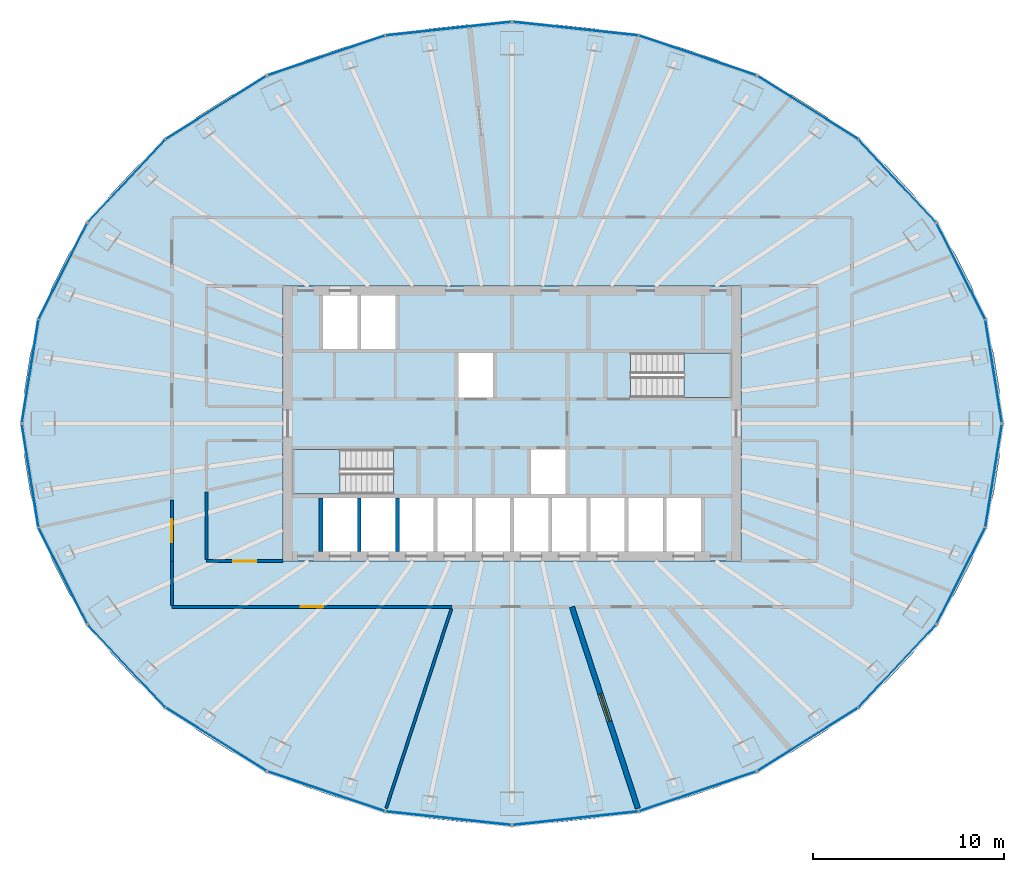
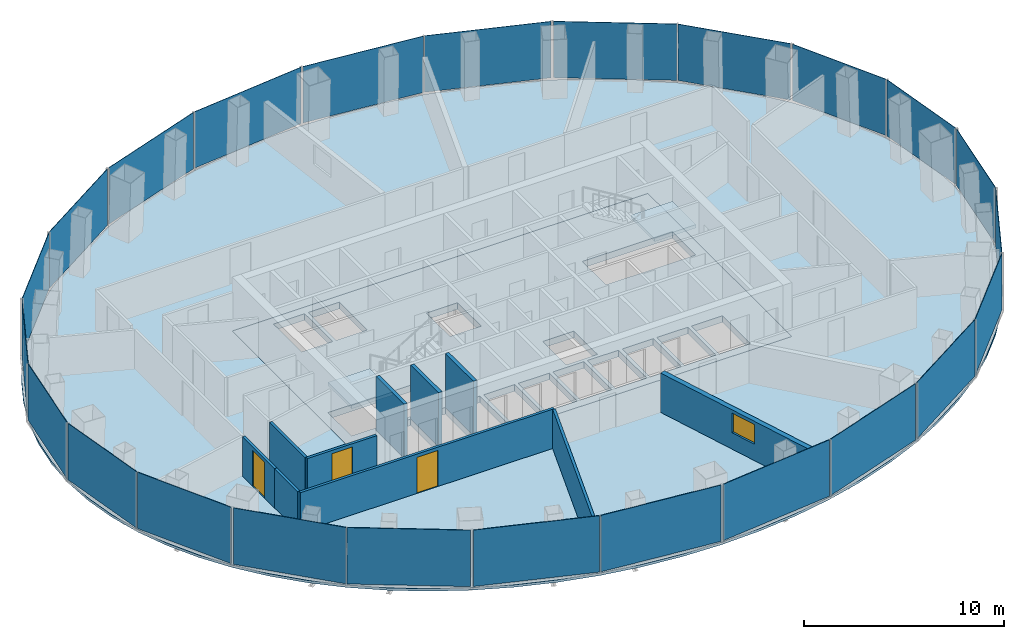
# One storey, part 7 of 12: 24 plates, 10 walls, 4 slabs, 3 doors, 1 window, 4 openings, 14 elements without a shape of their own.
"""IFC4 building model written with IfcOpenShell, lengths in metres."""

import ifcopenshell
import ifcopenshell.guid

model = None  # the IFC model being written
_history = None  # IfcOwnerHistory: only IFC2X3 demands one
_inside = {}  # id of a spatial element -> (the spatial element, [elements in it])
_under = {}  # id of a project, library or spatial element -> (it, [spatial elements below it])
_declared = {}  # id of a project -> (the project, [libraries it declares])
_typed = {}  # id of a type object -> (the type object, [elements of that type])
_made_of = {}  # id of a material, layer set ... -> (it, [elements and type objects made of it])


def new_model(schema):
    """Start an empty IFC model of exactly this schema.

    Asked for "IFC4X3", IfcOpenShell would pick the latest addendum, in which some entities
    have other attributes; the version numbers below select the first issue.
    IFC2X3 requires an IfcOwnerHistory on every rooted entity: one is made here for all.
    """
    global model, _history
    if schema == "IFC4X3":
        model = ifcopenshell.file(schema_version=(4, 3, 0, 0))
    else:
        model = ifcopenshell.file(schema=schema)
    _inside.clear()
    _under.clear()
    _declared.clear()
    _typed.clear()
    _made_of.clear()
    _history = None
    if model.schema == "IFC2X3":
        org = make("IfcOrganization", Name="unknown")
        user = make(
            "IfcPersonAndOrganization",
            ThePerson=make("IfcPerson", FamilyName="unknown"),
            TheOrganization=org,
        )
        app = make(
            "IfcApplication",
            ApplicationDeveloper=org,
            Version="unknown",
            ApplicationFullName="unknown",
            ApplicationIdentifier="unknown",
        )
        _history = make(
            "IfcOwnerHistory",
            OwningUser=user,
            OwningApplication=app,
            ChangeAction="ADDED",
            CreationDate=0,
        )
    return model


def make(cls, **values):
    """One entity of the class cls with the attributes given. An attribute that is None is left unset."""
    return model.create_entity(
        cls, **{name: value for name, value in values.items() if value is not None}
    )


def rooted(cls, **values):
    """An entity with a GlobalId (a new one), such as an element, a storey or a relation."""
    return make(cls, GlobalId=ifcopenshell.guid.new(), OwnerHistory=_history, **values)


def si_unit(unit_type, name, prefix=None):
    """IfcSIUnit, for example si_unit("LENGTHUNIT", "METRE", prefix="MILLI")."""
    return make("IfcSIUnit", UnitType=unit_type, Prefix=prefix, Name=name)


def assignment(units):
    """IfcUnitAssignment: the units of a project."""
    return None if units is None else make("IfcUnitAssignment", Units=units)


def point(xyz):
    """IfcCartesianPoint."""
    return None if xyz is None else make("IfcCartesianPoint", Coordinates=xyz)


def direction(xyz):
    """IfcDirection."""
    return None if xyz is None else make("IfcDirection", DirectionRatios=xyz)


def frame(location, z_axis=None, x_axis=None):
    """IfcAxis2Placement3D, a coordinate frame: its origin and axes. An axis left out is left unset."""
    return make(
        "IfcAxis2Placement3D",
        Location=point(location),
        Axis=direction(z_axis),
        RefDirection=direction(x_axis),
    )


def frame_2d(location, x_axis=None):
    """IfcAxis2Placement2D, a coordinate frame in the plane: its origin and x axis."""
    return make(
        "IfcAxis2Placement2D", Location=point(location), RefDirection=direction(x_axis)
    )


def origin():
    """The frame at (0, 0, 0) with its axes left unset."""
    return frame((0.0, 0.0, 0.0))


def origin_2d():
    """The frame at (0, 0) in the plane with its x axis left unset."""
    return frame_2d((0.0, 0.0))


def place(relative_to, where):
    """IfcLocalPlacement: puts the frame where relative to a parent placement (None: the world)."""
    return make(
        "IfcLocalPlacement", PlacementRelTo=relative_to, RelativePlacement=where
    )


def context(
    kind, dimensions, precision=None, world=None, true_north=None, identifier=None
):
    """IfcGeometricRepresentationContext, for example the 3D "Model" context."""
    return make(
        "IfcGeometricRepresentationContext",
        ContextIdentifier=identifier,
        ContextType=kind,
        CoordinateSpaceDimension=dimensions,
        Precision=precision,
        WorldCoordinateSystem=world,
        TrueNorth=true_north,
    )


def subcontext(parent, identifier, kind, view, scale=None):
    """IfcGeometricRepresentationSubContext, for example "Body" below "Model"."""
    return make(
        "IfcGeometricRepresentationSubContext",
        ContextIdentifier=identifier,
        ContextType=kind,
        ParentContext=parent,
        TargetScale=scale,
        TargetView=view,
    )


def project(units=None, contexts=None):
    """IfcProject with its units and contexts."""
    return rooted(
        "IfcProject",
        Name="project",
        RepresentationContexts=contexts,
        UnitsInContext=assignment(units),
    )


def spatial(cls, under=None, at=None, **own):
    """A site, building, storey or space (cls), placed at a placement, below another one or the project."""
    s = rooted(cls, ObjectPlacement=at, **own)
    if under is not None:
        _under.setdefault(under.id(), (under, []))[1].append(s)
    return s


def polyline(points):
    """IfcPolyline through the points."""
    return make("IfcPolyline", Points=[point(p) for p in points])


def profile(cls, at=None, kind="AREA", **sizes):
    """A parametric profile (cls). Its sizes go by their IFC names, for example OverallWidth=200.0."""
    return make(cls, ProfileType=kind, Position=at, **sizes)


def rectangle(**sizes):
    """IfcRectangleProfileDef."""
    return profile("IfcRectangleProfileDef", **sizes)


def outline(outer, holes=None, kind="AREA"):
    """IfcArbitraryClosedProfileDef: a profile drawn as a closed curve; with holes, ...WithVoids."""
    if holes is None:
        return make("IfcArbitraryClosedProfileDef", ProfileType=kind, OuterCurve=outer)
    return make(
        "IfcArbitraryProfileDefWithVoids",
        ProfileType=kind,
        OuterCurve=outer,
        InnerCurves=holes,
    )


def extrude(swept, where, along, depth):
    """IfcExtrudedAreaSolid: the profile swept, set in the frame where, extruded along a direction by depth."""
    return make(
        "IfcExtrudedAreaSolid",
        SweptArea=swept,
        Position=where,
        ExtrudedDirection=direction(along),
        Depth=depth,
    )


def shape(context_of_items, identifier, shape_type, items):
    """IfcShapeRepresentation: the items that make up one representation, for example the "Body"."""
    return make(
        "IfcShapeRepresentation",
        ContextOfItems=context_of_items,
        RepresentationIdentifier=identifier,
        RepresentationType=shape_type,
        Items=items,
    )


def material(Name=None, Category=None):
    """IfcMaterial."""
    return make("IfcMaterial", Name=Name, Category=Category)


def layer(
    of_material, thickness, ventilated=None, Name=None, Category=None, Priority=None
):
    """IfcMaterialLayer: one layer of a wall or slab, of a material (None: an air gap)."""
    return make(
        "IfcMaterialLayer",
        Material=of_material,
        LayerThickness=thickness,
        IsVentilated=ventilated,
        Name=Name,
        Category=Category,
        Priority=Priority,
    )


def layer_set(layers, Name=None):
    """IfcMaterialLayerSet."""
    return make("IfcMaterialLayerSet", MaterialLayers=layers, LayerSetName=Name)


def made_of(thing, what):
    """Note that an element or type object is made of a material, layer set ...; save() writes the relation."""
    if what is not None:
        _made_of.setdefault(what.id(), (what, []))[1].append(thing)
    return thing


def type_object(cls, material=None, **own):
    """A type object (cls), such as IfcWallType, which elements share."""
    return made_of(rooted(cls, **own), material)


def element(
    cls,
    number,
    at=None,
    inside=None,
    cuts=None,
    type_object=None,
    material=None,
    context=None,
    identifier="Body",
    shape_type=None,
    held_by="IfcProductDefinitionShape",
    body=None,
    shapes=None,
    **own,
):
    """One element of the class cls, such as IfcWall. Its Tag is "e" and its number.

    at: its placement. inside: the storey or other place that contains it. cuts: it is an
    opening in that element (IfcRelVoidsElement). A single representation is given by context,
    identifier, shape_type and body (its items); several are given by shapes. held_by: the class
    of the entity that holds the representations. save() writes the other relations.
    """
    e = rooted(cls, Tag="e%d" % number, ObjectPlacement=at, **own)
    if body is not None:
        shapes = [shape(context, identifier, shape_type, body)]
    if shapes is not None:
        e.Representation = make(held_by, Representations=shapes)
    if inside is not None:
        _inside.setdefault(inside.id(), (inside, []))[1].append(e)
    if cuts is not None:
        rooted(
            "IfcRelVoidsElement", RelatingBuildingElement=cuts, RelatedOpeningElement=e
        )
    if type_object is not None:
        _typed.setdefault(type_object.id(), (type_object, []))[1].append(e)
    return made_of(e, material)


def fill(opening, filler):
    """IfcRelFillsElement: the door or window that sits in an opening."""
    return rooted(
        "IfcRelFillsElement",
        RelatingOpeningElement=opening,
        RelatedBuildingElement=filler,
    )


def aggregate(whole, parts):
    """IfcRelAggregates: a whole, such as a stair, and the parts it consists of."""
    return rooted("IfcRelAggregates", RelatingObject=whole, RelatedObjects=parts)


def save(model, path):
    """Write the relations noted so far, then the file.

    IfcRelAggregates (storeys below a building ...), IfcRelContainedInSpatialStructure (elements
    in a storey), IfcRelDefinesByType, IfcRelAssociatesMaterial and IfcRelDeclares: one each for
    every whole, place, type object, material and project.
    """
    for whole, parts in _under.values():
        aggregate(whole, parts)
    for where, things in _inside.values():
        rooted(
            "IfcRelContainedInSpatialStructure",
            RelatedElements=things,
            RelatingStructure=where,
        )
    for kind, things in _typed.values():
        rooted("IfcRelDefinesByType", RelatedObjects=things, RelatingType=kind)
    for what, things in _made_of.values():
        rooted("IfcRelAssociatesMaterial", RelatedObjects=things, RelatingMaterial=what)
    for by, libraries in _declared.values():
        rooted("IfcRelDeclares", RelatingContext=by, RelatedDefinitions=libraries)
    model.write(path)


model = new_model("IFC4")

# Units and contexts
model_context = context("Model", 3, precision=1e-05, world=origin(), true_north=direction((0.0, 1.0)))
body_context = subcontext(model_context, "Body", "Model", "MODEL_VIEW")
ifc_project = project(units=[si_unit("LENGTHUNIT", "METRE"), si_unit("AREAUNIT", "SQUARE_METRE"), si_unit("VOLUMEUNIT", "CUBIC_METRE"), si_unit("PLANEANGLEUNIT", "RADIAN"), si_unit("MASSUNIT", "GRAM", prefix="KILO")], contexts=[model_context])

# Site, building, storey
site_placement = place(None, origin())
site = spatial("IfcSite", under=ifc_project, at=site_placement, CompositionType="ELEMENT")
building_placement = place(site_placement, origin())
building = spatial("IfcBuilding", under=site, at=building_placement, Name="Siaravel Broadcast Tower", CompositionType="ELEMENT")
storey_placement = place(building_placement, frame((0.0, 0.0, 111.89990234375)))
storey = spatial("IfcBuildingStorey", under=building, at=storey_placement, Name="L26", CompositionType="ELEMENT", Elevation=111.89990234375)

# Curtain wall, plates
ifc_material_1 = material(Name="Aluminium 6063-T6", Category="aluminium")
ifc_layer_1 = layer(ifc_material_1, 0.199951171875)
ifc_layer_set_1 = layer_set([ifc_layer_1], Name="Aluminium 6063-T6")
curtain_wall_type = type_object("IfcCurtainWallType", Name="Unitised curtain wall, zone 2", PredefinedType="NOTDEFINED", material=ifc_layer_set_1)
curtain_wall_1_placement = place(storey_placement, origin())
curtain_wall_1 = element("IfcCurtainWall", 1, at=curtain_wall_1_placement, inside=storey, type_object=curtain_wall_type, Name="L26 Unitised curtain wall, zone 2 01", PredefinedType="NOTDEFINED")
ifc_material_2 = material(Name="Tinted laminated glass", Category="glass")
ifc_layer_2 = layer(ifc_material_2, 0.030029296875)
ifc_layer_set_2 = layer_set([ifc_layer_2], Name="Tinted laminated glass")
plate_type = type_object("IfcPlateType", Name="CW-Z2 glass panel", PredefinedType="CURTAIN_PANEL", material=ifc_layer_set_2)
plate_1_placement = place(storey_placement, frame((25.215087890625, 2.738037109375, 0.110107421875), z_axis=(0.0, 0.0, 1.0), x_axis=(-0.158685687, 0.987329151, 0.0)))
plate_1 = element("IfcPlate", 2, at=plate_1_placement, type_object=plate_type, Name="CW-Z2 glass panel", PredefinedType="CURTAIN_PANEL", context=body_context, shape_type="SweptSolid", body=[
    extrude(rectangle(XDim=5.416259765625, YDim=0.030029296875, at=origin_2d()), origin(), (0.0, 0.0, 1.0), 3.43994140625),
])
plate_2_placement = place(storey_placement, frame((23.50537109375, 7.96533203125, 0.110107421875), z_axis=(0.0, 0.0, 1.0), x_axis=(-0.451261231, 0.892391899, 0.0)))
plate_2 = element("IfcPlate", 3, at=plate_2_placement, type_object=plate_type, Name="CW-Z2 glass panel", PredefinedType="CURTAIN_PANEL", context=body_context, shape_type="SweptSolid", body=[
    extrude(rectangle(XDim=5.585693359375, YDim=0.030029296875, at=origin_2d()), origin(), (0.0, 0.0, 1.0), 3.43994140625),
])
aggregate(curtain_wall_1, [plate_1, plate_2])

curtain_wall_2_placement = place(storey_placement, origin())
curtain_wall_2 = element("IfcCurtainWall", 4, at=curtain_wall_2_placement, inside=storey, type_object=curtain_wall_type, Name="L26 Unitised curtain wall, zone 2 02", PredefinedType="NOTDEFINED")
plate_3_placement = place(storey_placement, frame((20.165283203125, 12.704345703125, 0.110107421875), z_axis=(0.0, 0.0, 1.0), x_axis=(-0.683655392, 0.729804977, 0.0)))
plate_3 = element("IfcPlate", 5, at=plate_3_placement, type_object=plate_type, Name="CW-Z2 glass panel", PredefinedType="CURTAIN_PANEL", context=body_context, shape_type="SweptSolid", body=[
    extrude(rectangle(XDim=5.867919921875, YDim=0.030029296875, at=origin_2d()), origin(), (0.0, 0.0, 1.0), 3.43994140625),
])
plate_4_placement = place(storey_placement, frame((15.494384765625, 16.530517578125, 0.110107421875), z_axis=(0.0, 0.0, 1.0), x_axis=(-0.846650708, 0.532149019, 0.0)))
plate_4 = element("IfcPlate", 6, at=plate_4_placement, type_object=plate_type, Name="CW-Z2 glass panel", PredefinedType="CURTAIN_PANEL", context=body_context, shape_type="SweptSolid", body=[
    extrude(rectangle(XDim=6.17822265625, YDim=0.030029296875, at=origin_2d()), origin(), (0.0, 0.0, 1.0), 3.43994140625),
])
aggregate(curtain_wall_2, [plate_3, plate_4])

curtain_wall_3_placement = place(storey_placement, origin())
curtain_wall_3 = element("IfcCurtainWall", 7, at=curtain_wall_3_placement, inside=storey, type_object=curtain_wall_type, Name="L26 Unitised curtain wall, zone 2 03", PredefinedType="NOTDEFINED")
plate_5_placement = place(storey_placement, frame((9.715576171875, 19.263427734375, 0.110107421875), z_axis=(0.0, 0.0, 1.0), x_axis=(-0.946977286, 0.321300513, 0.0)))
plate_5 = element("IfcPlate", 8, at=plate_5_placement, type_object=plate_type, Name="CW-Z2 glass panel", PredefinedType="CURTAIN_PANEL", context=body_context, shape_type="SweptSolid", body=[
    extrude(rectangle(XDim=6.43505859375, YDim=0.030029296875, at=origin_2d()), origin(), (0.0, 0.0, 1.0), 3.43994140625),
])
plate_6_placement = place(storey_placement, frame((3.335205078125, 20.663818359375, 0.110107421875), z_axis=(0.0, 0.0, 1.0), x_axis=(-0.994235594, 0.107217456, 0.0)))
plate_6 = element("IfcPlate", 9, at=plate_6_placement, type_object=plate_type, Name="CW-Z2 glass panel", PredefinedType="CURTAIN_PANEL", context=body_context, shape_type="SweptSolid", body=[
    extrude(rectangle(XDim=6.578857421875, YDim=0.030029296875, at=origin_2d()), origin(), (0.0, 0.0, 1.0), 3.43994140625),
])
aggregate(curtain_wall_3, [plate_5, plate_6])

curtain_wall_4_placement = place(storey_placement, origin())
curtain_wall_4 = element("IfcCurtainWall", 10, at=curtain_wall_4_placement, inside=storey, type_object=curtain_wall_type, Name="L26 Unitised curtain wall, zone 2 04", PredefinedType="NOTDEFINED")
plate_7_placement = place(storey_placement, frame((-3.335205078125, 20.663818359375, 0.110107421875), z_axis=(0.0, 0.0, 1.0), x_axis=(-0.994235594, -0.107217456, 0.0)))
plate_7 = element("IfcPlate", 11, at=plate_7_placement, type_object=plate_type, Name="CW-Z2 glass panel", PredefinedType="CURTAIN_PANEL", context=body_context, shape_type="SweptSolid", body=[
    extrude(rectangle(XDim=6.578857421875, YDim=0.030029296875, at=origin_2d()), origin(), (0.0, 0.0, 1.0), 3.43994140625),
])
plate_8_placement = place(storey_placement, frame((-9.715576171875, 19.263427734375, 0.110107421875), z_axis=(0.0, 0.0, 1.0), x_axis=(-0.946977286, -0.321300513, 0.0)))
plate_8 = element("IfcPlate", 12, at=plate_8_placement, type_object=plate_type, Name="CW-Z2 glass panel", PredefinedType="CURTAIN_PANEL", context=body_context, shape_type="SweptSolid", body=[
    extrude(rectangle(XDim=6.43505859375, YDim=0.030029296875, at=origin_2d()), origin(), (0.0, 0.0, 1.0), 3.43994140625),
])
aggregate(curtain_wall_4, [plate_7, plate_8])

curtain_wall_5_placement = place(storey_placement, origin())
curtain_wall_5 = element("IfcCurtainWall", 13, at=curtain_wall_5_placement, inside=storey, type_object=curtain_wall_type, Name="L26 Unitised curtain wall, zone 2 05", PredefinedType="NOTDEFINED")
plate_9_placement = place(storey_placement, frame((-15.494384765625, 16.530517578125, 0.110107421875), z_axis=(0.0, 0.0, 1.0), x_axis=(-0.846650708, -0.532149019, 0.0)))
plate_9 = element("IfcPlate", 14, at=plate_9_placement, type_object=plate_type, Name="CW-Z2 glass panel", PredefinedType="CURTAIN_PANEL", context=body_context, shape_type="SweptSolid", body=[
    extrude(rectangle(XDim=6.17822265625, YDim=0.030029296875, at=origin_2d()), origin(), (0.0, 0.0, 1.0), 3.43994140625),
])
plate_10_placement = place(storey_placement, frame((-20.165283203125, 12.704345703125, 0.110107421875), z_axis=(0.0, 0.0, 1.0), x_axis=(-0.683655392, -0.729804977, 0.0)))
plate_10 = element("IfcPlate", 15, at=plate_10_placement, type_object=plate_type, Name="CW-Z2 glass panel", PredefinedType="CURTAIN_PANEL", context=body_context, shape_type="SweptSolid", body=[
    extrude(rectangle(XDim=5.867919921875, YDim=0.030029296875, at=origin_2d()), origin(), (0.0, 0.0, 1.0), 3.43994140625),
])
aggregate(curtain_wall_5, [plate_9, plate_10])

curtain_wall_6_placement = place(storey_placement, origin())
curtain_wall_6 = element("IfcCurtainWall", 16, at=curtain_wall_6_placement, inside=storey, type_object=curtain_wall_type, Name="L26 Unitised curtain wall, zone 2 06", PredefinedType="NOTDEFINED")
plate_11_placement = place(storey_placement, frame((-23.50537109375, 7.96533203125, 0.110107421875), z_axis=(0.0, 0.0, 1.0), x_axis=(-0.451261231, -0.892391899, 0.0)))
plate_11 = element("IfcPlate", 17, at=plate_11_placement, type_object=plate_type, Name="CW-Z2 glass panel", PredefinedType="CURTAIN_PANEL", context=body_context, shape_type="SweptSolid", body=[
    extrude(rectangle(XDim=5.585693359375, YDim=0.030029296875, at=origin_2d()), origin(), (0.0, 0.0, 1.0), 3.43994140625),
])
plate_12_placement = place(storey_placement, frame((-25.215087890625, 2.738037109375, 0.110107421875), z_axis=(0.0, 0.0, 1.0), x_axis=(-0.158685687, -0.987329151, 0.0)))
plate_12 = element("IfcPlate", 18, at=plate_12_placement, type_object=plate_type, Name="CW-Z2 glass panel", PredefinedType="CURTAIN_PANEL", context=body_context, shape_type="SweptSolid", body=[
    extrude(rectangle(XDim=5.416259765625, YDim=0.030029296875, at=origin_2d()), origin(), (0.0, 0.0, 1.0), 3.43994140625),
])
aggregate(curtain_wall_6, [plate_11, plate_12])

curtain_wall_7_placement = place(storey_placement, origin())
curtain_wall_7 = element("IfcCurtainWall", 19, at=curtain_wall_7_placement, inside=storey, type_object=curtain_wall_type, Name="L26 Unitised curtain wall, zone 2 07", PredefinedType="NOTDEFINED")
plate_13_placement = place(storey_placement, frame((-25.215087890625, -2.738037109375, 0.110107421875), z_axis=(0.0, 0.0, 1.0), x_axis=(0.158685687, -0.987329151, 0.0)))
plate_13 = element("IfcPlate", 20, at=plate_13_placement, type_object=plate_type, Name="CW-Z2 glass panel", PredefinedType="CURTAIN_PANEL", context=body_context, shape_type="SweptSolid", body=[
    extrude(rectangle(XDim=5.416259765625, YDim=0.030029296875, at=origin_2d()), origin(), (0.0, 0.0, 1.0), 3.43994140625),
])
plate_14_placement = place(storey_placement, frame((-23.50537109375, -7.96533203125, 0.110107421875), z_axis=(0.0, 0.0, 1.0), x_axis=(0.451261231, -0.892391899, 0.0)))
plate_14 = element("IfcPlate", 21, at=plate_14_placement, type_object=plate_type, Name="CW-Z2 glass panel", PredefinedType="CURTAIN_PANEL", context=body_context, shape_type="SweptSolid", body=[
    extrude(rectangle(XDim=5.585693359375, YDim=0.030029296875, at=origin_2d()), origin(), (0.0, 0.0, 1.0), 3.43994140625),
])
aggregate(curtain_wall_7, [plate_13, plate_14])

curtain_wall_8_placement = place(storey_placement, origin())
curtain_wall_8 = element("IfcCurtainWall", 22, at=curtain_wall_8_placement, inside=storey, type_object=curtain_wall_type, Name="L26 Unitised curtain wall, zone 2 08", PredefinedType="NOTDEFINED")
plate_15_placement = place(storey_placement, frame((-20.165283203125, -12.704345703125, 0.110107421875), z_axis=(0.0, 0.0, 1.0), x_axis=(0.683655392, -0.729804977, 0.0)))
plate_15 = element("IfcPlate", 23, at=plate_15_placement, type_object=plate_type, Name="CW-Z2 glass panel", PredefinedType="CURTAIN_PANEL", context=body_context, shape_type="SweptSolid", body=[
    extrude(rectangle(XDim=5.867919921875, YDim=0.030029296875, at=origin_2d()), origin(), (0.0, 0.0, 1.0), 3.43994140625),
])
plate_16_placement = place(storey_placement, frame((-15.494384765625, -16.530517578125, 0.110107421875), z_axis=(0.0, 0.0, 1.0), x_axis=(0.846650708, -0.532149019, 0.0)))
plate_16 = element("IfcPlate", 24, at=plate_16_placement, type_object=plate_type, Name="CW-Z2 glass panel", PredefinedType="CURTAIN_PANEL", context=body_context, shape_type="SweptSolid", body=[
    extrude(rectangle(XDim=6.17822265625, YDim=0.030029296875, at=origin_2d()), origin(), (0.0, 0.0, 1.0), 3.43994140625),
])
aggregate(curtain_wall_8, [plate_15, plate_16])

curtain_wall_9_placement = place(storey_placement, origin())
curtain_wall_9 = element("IfcCurtainWall", 25, at=curtain_wall_9_placement, inside=storey, type_object=curtain_wall_type, Name="L26 Unitised curtain wall, zone 2 09", PredefinedType="NOTDEFINED")
plate_17_placement = place(storey_placement, frame((-9.715576171875, -19.263427734375, 0.110107421875), z_axis=(0.0, 0.0, 1.0), x_axis=(0.946977286, -0.321300513, 0.0)))
plate_17 = element("IfcPlate", 26, at=plate_17_placement, type_object=plate_type, Name="CW-Z2 glass panel", PredefinedType="CURTAIN_PANEL", context=body_context, shape_type="SweptSolid", body=[
    extrude(rectangle(XDim=6.43505859375, YDim=0.030029296875, at=origin_2d()), origin(), (0.0, 0.0, 1.0), 3.43994140625),
])
plate_18_placement = place(storey_placement, frame((-3.335205078125, -20.663818359375, 0.110107421875), z_axis=(0.0, 0.0, 1.0), x_axis=(0.994235594, -0.107217456, 0.0)))
plate_18 = element("IfcPlate", 27, at=plate_18_placement, type_object=plate_type, Name="CW-Z2 glass panel", PredefinedType="CURTAIN_PANEL", context=body_context, shape_type="SweptSolid", body=[
    extrude(rectangle(XDim=6.578857421875, YDim=0.030029296875, at=origin_2d()), origin(), (0.0, 0.0, 1.0), 3.43994140625),
])
aggregate(curtain_wall_9, [plate_17, plate_18])

curtain_wall_10_placement = place(storey_placement, origin())
curtain_wall_10 = element("IfcCurtainWall", 28, at=curtain_wall_10_placement, inside=storey, type_object=curtain_wall_type, Name="L26 Unitised curtain wall, zone 2 10", PredefinedType="NOTDEFINED")
plate_19_placement = place(storey_placement, frame((3.335205078125, -20.663818359375, 0.110107421875), z_axis=(0.0, 0.0, 1.0), x_axis=(0.994235594, 0.107217456, 0.0)))
plate_19 = element("IfcPlate", 29, at=plate_19_placement, type_object=plate_type, Name="CW-Z2 glass panel", PredefinedType="CURTAIN_PANEL", context=body_context, shape_type="SweptSolid", body=[
    extrude(rectangle(XDim=6.578857421875, YDim=0.030029296875, at=origin_2d()), origin(), (0.0, 0.0, 1.0), 3.43994140625),
])
plate_20_placement = place(storey_placement, frame((9.715576171875, -19.263427734375, 0.110107421875), z_axis=(0.0, 0.0, 1.0), x_axis=(0.946977286, 0.321300513, 0.0)))
plate_20 = element("IfcPlate", 30, at=plate_20_placement, type_object=plate_type, Name="CW-Z2 glass panel", PredefinedType="CURTAIN_PANEL", context=body_context, shape_type="SweptSolid", body=[
    extrude(rectangle(XDim=6.43505859375, YDim=0.030029296875, at=origin_2d()), origin(), (0.0, 0.0, 1.0), 3.43994140625),
])
aggregate(curtain_wall_10, [plate_19, plate_20])

curtain_wall_11_placement = place(storey_placement, origin())
curtain_wall_11 = element("IfcCurtainWall", 31, at=curtain_wall_11_placement, inside=storey, type_object=curtain_wall_type, Name="L26 Unitised curtain wall, zone 2 11", PredefinedType="NOTDEFINED")
plate_21_placement = place(storey_placement, frame((15.494384765625, -16.530517578125, 0.110107421875), z_axis=(0.0, 0.0, 1.0), x_axis=(0.846650708, 0.532149019, 0.0)))
plate_21 = element("IfcPlate", 32, at=plate_21_placement, type_object=plate_type, Name="CW-Z2 glass panel", PredefinedType="CURTAIN_PANEL", context=body_context, shape_type="SweptSolid", body=[
    extrude(rectangle(XDim=6.17822265625, YDim=0.030029296875, at=origin_2d()), origin(), (0.0, 0.0, 1.0), 3.43994140625),
])
plate_22_placement = place(storey_placement, frame((20.165283203125, -12.704345703125, 0.110107421875), z_axis=(0.0, 0.0, 1.0), x_axis=(0.683655392, 0.729804977, 0.0)))
plate_22 = element("IfcPlate", 33, at=plate_22_placement, type_object=plate_type, Name="CW-Z2 glass panel", PredefinedType="CURTAIN_PANEL", context=body_context, shape_type="SweptSolid", body=[
    extrude(rectangle(XDim=5.867919921875, YDim=0.030029296875, at=origin_2d()), origin(), (0.0, 0.0, 1.0), 3.43994140625),
])
aggregate(curtain_wall_11, [plate_21, plate_22])

curtain_wall_12_placement = place(storey_placement, origin())
curtain_wall_12 = element("IfcCurtainWall", 34, at=curtain_wall_12_placement, inside=storey, type_object=curtain_wall_type, Name="L26 Unitised curtain wall, zone 2 12", PredefinedType="NOTDEFINED")
plate_23_placement = place(storey_placement, frame((23.50537109375, -7.96533203125, 0.110107421875), z_axis=(0.0, 0.0, 1.0), x_axis=(0.451261231, 0.892391899, 0.0)))
plate_23 = element("IfcPlate", 35, at=plate_23_placement, type_object=plate_type, Name="CW-Z2 glass panel", PredefinedType="CURTAIN_PANEL", context=body_context, shape_type="SweptSolid", body=[
    extrude(rectangle(XDim=5.585693359375, YDim=0.030029296875, at=origin_2d()), origin(), (0.0, 0.0, 1.0), 3.43994140625),
])
plate_24_placement = place(storey_placement, frame((25.215087890625, -2.738037109375, 0.110107421875), z_axis=(0.0, 0.0, 1.0), x_axis=(0.158685687, 0.987329151, 0.0)))
plate_24 = element("IfcPlate", 36, at=plate_24_placement, type_object=plate_type, Name="CW-Z2 glass panel", PredefinedType="CURTAIN_PANEL", context=body_context, shape_type="SweptSolid", body=[
    extrude(rectangle(XDim=5.416259765625, YDim=0.030029296875, at=origin_2d()), origin(), (0.0, 0.0, 1.0), 3.43994140625),
])
aggregate(curtain_wall_12, [plate_23, plate_24])

# Slabs
ifc_material_3 = material(Name="Concrete C40/50", Category="concrete")
ifc_layer_3 = layer(ifc_material_3, 0.39990234375)
ifc_layer_set_3 = layer_set([ifc_layer_3], Name="Concrete C40/50")
slab_type_1 = type_object("IfcSlabType", Name="Core floor slab 400", PredefinedType="FLOOR", material=ifc_layer_set_3)
slab_1_placement = place(storey_placement, frame((0.0, 0.0, -0.39990234375)))
element("IfcSlab", 37, at=slab_1_placement, inside=storey, type_object=slab_type_1, Name="L26 core floor", PredefinedType="FLOOR", context=body_context, shape_type="SweptSolid", body=[
    extrude(outline(polyline([(-12.0, -7.199951171875), (-12.0, 7.199951171875), (12.0, 7.199951171875), (12.0, -7.199951171875), (-12.0, -7.199951171875)]), holes=[polyline([(11.3994140625, 1.3505859375), (11.3994140625, 3.699462890625), (6.200439453125, 3.699462890625), (6.200439453125, 1.3505859375), (11.3994140625, 1.3505859375)]), polyline([(9.89990234375, -3.89990234375), (8.10009765625, -3.89990234375), (8.10009765625, -6.699951171875), (9.89990234375, -6.699951171875), (9.89990234375, -3.89990234375)]), polyline([(7.89990234375, -3.89990234375), (6.10009765625, -3.89990234375), (6.10009765625, -6.699951171875), (7.89990234375, -6.699951171875), (7.89990234375, -3.89990234375)]), polyline([(5.89990234375, -3.89990234375), (4.10009765625, -3.89990234375), (4.10009765625, -6.699951171875), (5.89990234375, -6.699951171875), (5.89990234375, -3.89990234375)]), polyline([(3.89990234375, -3.89990234375), (2.10009765625, -3.89990234375), (2.10009765625, -6.699951171875), (3.89990234375, -6.699951171875), (3.89990234375, -3.89990234375)]), polyline([(2.800048828125, -1.35009765625), (1.0, -1.35009765625), (1.0, -3.699951171875), (2.800048828125, -3.699951171875), (2.800048828125, -1.35009765625)]), polyline([(1.89990234375, -3.89990234375), (0.10009765625, -3.89990234375), (0.10009765625, -6.699951171875), (1.89990234375, -6.699951171875), (1.89990234375, -3.89990234375)]), polyline([(-0.10009765625, -3.89990234375), (-1.89990234375, -3.89990234375), (-1.89990234375, -6.699951171875), (-0.10009765625, -6.699951171875), (-0.10009765625, -3.89990234375)]), polyline([(-1.0, 3.699951171875), (-2.800048828125, 3.699951171875), (-2.800048828125, 1.35009765625), (-1.0, 1.35009765625), (-1.0, 3.699951171875)]), polyline([(-2.10009765625, -3.89990234375), (-3.89990234375, -3.89990234375), (-3.89990234375, -6.699951171875), (-2.10009765625, -6.699951171875), (-2.10009765625, -3.89990234375)]), polyline([(-4.10009765625, -3.89990234375), (-5.89990234375, -3.89990234375), (-5.89990234375, -6.699951171875), (-4.10009765625, -6.699951171875), (-4.10009765625, -3.89990234375)]), polyline([(-6.10009765625, -3.89990234375), (-7.89990234375, -3.89990234375), (-7.89990234375, -6.699951171875), (-6.10009765625, -6.699951171875), (-6.10009765625, -3.89990234375)]), polyline([(-6.10009765625, 6.699951171875), (-7.89990234375, 6.699951171875), (-7.89990234375, 3.89990234375), (-6.10009765625, 3.89990234375), (-6.10009765625, 6.699951171875)]), polyline([(-11.3994140625, -1.3505859375), (-11.3994140625, -3.699462890625), (-6.200439453125, -3.699462890625), (-6.200439453125, -1.3505859375), (-11.3994140625, -1.3505859375)]), polyline([(-8.10009765625, -3.89990234375), (-9.89990234375, -3.89990234375), (-9.89990234375, -6.699951171875), (-8.10009765625, -6.699951171875), (-8.10009765625, -3.89990234375)]), polyline([(-8.10009765625, 6.699951171875), (-9.89990234375, 6.699951171875), (-9.89990234375, 3.89990234375), (-8.10009765625, 3.89990234375), (-8.10009765625, 6.699951171875)])]), origin(), (0.0, 0.0, 1.0), 0.39990234375),
])
ifc_layer_4 = layer(ifc_material_3, 0.14990234375)
ifc_layer_set_4 = layer_set([ifc_layer_4], Name="Concrete C40/50")
slab_type_2 = type_object("IfcSlabType", Name="SLB-FLOOR-150", PredefinedType="FLOOR", material=ifc_layer_set_4)
slab_2_placement = place(storey_placement, frame((0.0, 0.0, -0.14990234375)))
element("IfcSlab", 38, at=slab_2_placement, inside=storey, type_object=slab_type_2, Name="Floor slab", PredefinedType="FLOOR", context=body_context, shape_type="SweptSolid", body=[
    extrude(outline(polyline([(25.605224609375, 0.0), (25.5078125, 1.827880859375), (25.21630859375, 3.64208984375), (24.73291015625, 5.428466796875), (24.06103515625, 7.17333984375), (23.206298828125, 8.86376953125), (22.1748046875, 10.48681640625), (20.974609375, 12.030029296875), (19.61474609375, 13.481689453125), (18.105712890625, 14.83056640625), (16.458740234375, 16.066650390625), (14.6865234375, 17.1806640625), (12.802734375, 18.163818359375), (10.8212890625, 19.008544921875), (8.757568359375, 19.708740234375), (6.627197265625, 20.2587890625), (4.4462890625, 20.655029296875), (2.231689453125, 20.893798828125), (0.0, 20.9736328125), (-2.231689453125, 20.893798828125), (-4.4462890625, 20.655029296875), (-6.627197265625, 20.2587890625), (-8.757568359375, 19.708740234375), (-10.8212890625, 19.008544921875), (-12.802490234375, 18.163818359375), (-14.6865234375, 17.1806640625), (-16.458740234375, 16.066650390625), (-18.105712890625, 14.83056640625), (-19.61474609375, 13.481689453125), (-20.974609375, 12.030029296875), (-22.1748046875, 10.48681640625), (-23.206298828125, 8.86376953125), (-24.06103515625, 7.17333984375), (-24.73291015625, 5.428466796875), (-25.21630859375, 3.64208984375), (-25.5078125, 1.827880859375), (-25.605224609375, 0.0), (-25.5078125, -1.827880859375), (-25.21630859375, -3.64208984375), (-24.73291015625, -5.428466796875), (-24.06103515625, -7.17333984375), (-23.206298828125, -8.86376953125), (-22.1748046875, -10.48681640625), (-20.974609375, -12.030029296875), (-19.61474609375, -13.481689453125), (-18.105712890625, -14.83056640625), (-16.458740234375, -16.066650390625), (-14.6865234375, -17.1806640625), (-12.802734375, -18.163818359375), (-10.8212890625, -19.008544921875), (-8.757568359375, -19.708740234375), (-6.627197265625, -20.2587890625), (-4.4462890625, -20.655029296875), (-2.231689453125, -20.893798828125), (0.0, -20.9736328125), (2.231689453125, -20.893798828125), (4.4462890625, -20.655029296875), (6.627197265625, -20.2587890625), (8.757568359375, -19.708740234375), (10.8212890625, -19.008544921875), (12.802734375, -18.163818359375), (14.6865234375, -17.1806640625), (16.458740234375, -16.066650390625), (18.105712890625, -14.83056640625), (19.61474609375, -13.481689453125), (20.974609375, -12.030029296875), (22.1748046875, -10.48681640625), (23.206298828125, -8.86376953125), (24.06103515625, -7.17333984375), (24.73291015625, -5.428466796875), (25.21630859375, -3.64208984375), (25.5078125, -1.827880859375), (25.605224609375, 0.0)]), holes=[polyline([(-12.0, 7.199951171875), (12.0, 7.199951171875), (12.0, -7.199951171875), (-12.0, -7.199951171875), (-12.0, 7.199951171875)])]), origin(), (0.0, 0.0, 1.0), 0.14990234375),
])

# Stair, slab
stair_type = type_object("IfcStairType", Name="Core exit stair", PredefinedType="HALF_TURN_STAIR", material=ifc_material_3)
stair_1_placement = place(storey_placement, origin())
stair_1 = element("IfcStair", 39, at=stair_1_placement, inside=storey, type_object=stair_type, Name="L26 Exit stair ST-1", PredefinedType="HALF_TURN_STAIR")
ifc_layer_5 = layer(ifc_material_3, 0.199951171875)
ifc_layer_set_5 = layer_set([ifc_layer_5], Name="Concrete C40/50")
slab_type_3 = type_object("IfcSlabType", Name="Stair landing", PredefinedType="LANDING", material=ifc_layer_set_5)
slab_3_placement = place(storey_placement, frame((0.0, 0.0, 1.650146484375)))
slab_3 = element("IfcSlab", 40, at=slab_3_placement, type_object=slab_type_3, Name="ST-1 landing 1", PredefinedType="LANDING", context=body_context, shape_type="SweptSolid", body=[
    extrude(outline(polyline([(-9.0, -1.35009765625), (-11.39990234375, -1.35009765625), (-11.39990234375, -3.699951171875), (-9.0, -3.699951171875), (-9.0, -1.35009765625)])), origin(), (0.0, 0.0, 1.0), 0.199951171875),
])
aggregate(stair_1, [slab_3])

stair_2_placement = place(storey_placement, origin())
stair_2 = element("IfcStair", 41, at=stair_2_placement, inside=storey, type_object=stair_type, Name="L26 Exit stair ST-2", PredefinedType="HALF_TURN_STAIR")
slab_4_placement = place(storey_placement, frame((0.0, 0.0, 1.650146484375)))
slab_4 = element("IfcSlab", 42, at=slab_4_placement, type_object=slab_type_3, Name="ST-2 landing 1", PredefinedType="LANDING", context=body_context, shape_type="SweptSolid", body=[
    extrude(outline(polyline([(9.0, 1.35009765625), (11.39990234375, 1.35009765625), (11.39990234375, 3.699951171875), (9.0, 3.699951171875), (9.0, 1.35009765625)])), origin(), (0.0, 0.0, 1.0), 0.199951171875),
])
aggregate(stair_2, [slab_4])

# Wall, opening, window
ifc_material_4 = material(Name="Double-leaf acoustic partition", Category="gypsum")
ifc_layer_6 = layer(ifc_material_4, 0.280029296875)
ifc_layer_set_6 = layer_set([ifc_layer_6], Name="Double-leaf acoustic partition")
wall_type_1 = type_object("IfcWallType", Name="Acoustic double-leaf wall 280", PredefinedType="PARTITIONING", material=ifc_layer_set_6)
wall_1_placement = place(storey_placement, frame((6.589599609375, -20.144775390625, 0.0), z_axis=(0.0, 0.0, 1.0), x_axis=(-0.310895222, 0.950444191, 0.0)))
wall_1 = element("IfcWall", 43, at=wall_1_placement, inside=storey, type_object=wall_type_1, Name="L26 partition 4", PredefinedType="PARTITIONING", context=body_context, shape_type="SweptSolid", body=[
    extrude(rectangle(XDim=11.094482421875, YDim=0.280029296875, at=frame_2d((5.54736328125, 0.0))), origin(), (0.0, 0.0, 1.0), 2.400146484375),
])
opening_1_placement = place(wall_1_placement, frame((4.79736328125, 0.0, 1.0)))
opening_1 = element("IfcOpeningElement", 44, at=opening_1_placement, cuts=wall_1, Name="Opening L26-W02", PredefinedType="OPENING", context=body_context, shape_type="SweptSolid", body=[
    extrude(rectangle(XDim=1.5, YDim=1.199951171875, at=frame_2d((0.75, 0.60009765625))), frame((0.0, 0.14990234375, 0.0), z_axis=(0.0, -1.0, 0.0), x_axis=(1.0, 0.0, 0.0)), (0.0, 0.0, 1.0), 0.300048828125),
])
ifc_material_5 = material(Name="Laminated acoustic glass", Category="glass")
window_type = type_object("IfcWindowType", Name="Studio viewing window 1500", PartitioningType="SINGLE_PANEL", PredefinedType="WINDOW", material=ifc_material_5)
window_placement = place(opening_1_placement, origin())
window = element("IfcWindow", 45, at=window_placement, inside=storey, type_object=window_type, Name="L26 viewing window to Viewing theatre", OverallHeight=1.199951171875, OverallWidth=1.5, PartitioningType="SINGLE_PANEL", PredefinedType="WINDOW", context=body_context, shape_type="SweptSolid", body=[
    extrude(rectangle(XDim=1.5, YDim=1.199951171875, at=frame_2d((0.75, 0.60009765625))), frame((0.0, 0.030029296875, 0.0), z_axis=(0.0, -1.0, 0.0), x_axis=(1.0, 0.0, 0.0)), (0.0, 0.0, 1.0), 0.06005859375),
])
fill(opening_1, window)

# Wall, opening, door
ifc_material_6 = material(Name="Gypsum board partition", Category="gypsum")
ifc_layer_7 = layer(ifc_material_6, 0.14990234375)
ifc_layer_set_7 = layer_set([ifc_layer_7], Name="Gypsum board partition")
wall_type_2 = type_object("IfcWallType", Name="Corridor wall 150", PredefinedType="PARTITIONING", material=ifc_layer_set_7)
wall_2_placement = place(storey_placement, frame((-17.800048828125, -9.60009765625, 0.0), z_axis=(0.0, 0.0, 1.0), x_axis=(1.0, 0.0, 0.0)))
wall_2 = element("IfcWall", 46, at=wall_2_placement, inside=storey, type_object=wall_type_2, Name="L26 partition 2", PredefinedType="PARTITIONING", context=body_context, shape_type="SweptSolid", body=[
    extrude(rectangle(XDim=14.65966796875, YDim=0.14990234375, at=frame_2d((7.329833984375, 0.0))), origin(), (0.0, 0.0, 1.0), 2.400146484375),
])
opening_2_placement = place(wall_2_placement, frame((6.729736328125, 0.0, 0.0)))
opening_2 = element("IfcOpeningElement", 47, at=opening_2_placement, cuts=wall_2, Name="Opening L26-017", PredefinedType="OPENING", context=body_context, shape_type="SweptSolid", body=[
    extrude(rectangle(XDim=1.199951171875, YDim=2.199951171875, at=frame_2d((0.60009765625, 1.10009765625))), frame((0.0, 0.0849609375, 0.0), z_axis=(0.0, -1.0, 0.0), x_axis=(1.0, 0.0, 0.0)), (0.0, 0.0, 1.0), 0.169921875),
])
ifc_material_7 = material(Name="Timber veneer", Category="wood")
door_type = type_object("IfcDoorType", Name="Office double door 1200", OperationType="DOUBLE_DOOR_SINGLE_SWING", PredefinedType="DOOR", material=ifc_material_7)
door_1_placement = place(opening_2_placement, origin())
door_1 = element("IfcDoor", 48, at=door_1_placement, inside=storey, type_object=door_type, Name="L26 door to Open plan production office", OperationType="DOUBLE_DOOR_SINGLE_SWING", OverallHeight=2.199951171875, OverallWidth=1.199951171875, PredefinedType="DOOR", context=body_context, shape_type="SweptSolid", body=[
    extrude(rectangle(XDim=1.199951171875, YDim=2.199951171875, at=frame_2d((0.60009765625, 1.10009765625))), frame((0.0, 0.02490234375, 0.0), z_axis=(0.0, -1.0, 0.0), x_axis=(1.0, 0.0, 0.0)), (0.0, 0.0, 1.0), 0.050048828125),
])
fill(opening_2, door_1)

wall_3_placement = place(storey_placement, frame((-12.0, -7.199951171875, 0.0), z_axis=(0.0, 0.0, 1.0), x_axis=(-1.0, 0.0, 0.0)))
wall_3 = element("IfcWall", 49, at=wall_3_placement, inside=storey, type_object=wall_type_2, Name="L26 partition 30", PredefinedType="PARTITIONING", context=body_context, shape_type="SweptSolid", body=[
    extrude(rectangle(XDim=4.0, YDim=0.14990234375, at=frame_2d((2.0, 0.0))), origin(), (0.0, 0.0, 1.0), 2.400146484375),
])
opening_3_placement = place(wall_3_placement, frame((1.39990234375, 0.0, 0.0)))
opening_3 = element("IfcOpeningElement", 50, at=opening_3_placement, cuts=wall_3, Name="Opening L26-016", PredefinedType="OPENING", context=body_context, shape_type="SweptSolid", body=[
    extrude(rectangle(XDim=1.199951171875, YDim=2.199951171875, at=frame_2d((0.60009765625, 1.10009765625))), frame((0.0, 0.0849609375, 0.0), z_axis=(0.0, -1.0, 0.0), x_axis=(1.0, 0.0, 0.0)), (0.0, 0.0, 1.0), 0.169921875),
])
door_2_placement = place(opening_3_placement, origin())
door_2 = element("IfcDoor", 51, at=door_2_placement, inside=storey, type_object=door_type, Name="L26 door to Open plan production office", OperationType="DOUBLE_DOOR_SINGLE_SWING", OverallHeight=2.199951171875, OverallWidth=1.199951171875, PredefinedType="DOOR", context=body_context, shape_type="SweptSolid", body=[
    extrude(rectangle(XDim=1.199951171875, YDim=2.199951171875, at=frame_2d((0.60009765625, 1.10009765625))), frame((0.0, 0.02490234375, 0.0), z_axis=(0.0, -1.0, 0.0), x_axis=(1.0, 0.0, 0.0)), (0.0, 0.0, 1.0), 0.050048828125),
])
fill(opening_3, door_2)

# Wall
wall_4_placement = place(storey_placement, frame((-16.0, -7.123046875, 0.0), z_axis=(0.0, 0.0, 1.0), x_axis=(0.0, 1.0, 0.0)))
element("IfcWall", 52, at=wall_4_placement, inside=storey, type_object=wall_type_2, Name="L26 partition 36", PredefinedType="PARTITIONING", context=body_context, shape_type="SweptSolid", body=[
    extrude(rectangle(XDim=3.5361328125, YDim=0.14990234375, at=frame_2d((1.76806640625, 0.0))), origin(), (0.0, 0.0, 1.0), 2.400146484375),
])

# Wall, opening, door
wall_5_placement = place(storey_placement, frame((-17.800048828125, -4.001953125, 0.0), z_axis=(0.0, 0.0, 1.0), x_axis=(0.0, -1.0, 0.0)))
wall_5 = element("IfcWall", 53, at=wall_5_placement, inside=storey, type_object=wall_type_2, Name="L26 partition 39", PredefinedType="PARTITIONING", context=body_context, shape_type="SweptSolid", body=[
    extrude(rectangle(XDim=3.2099609375, YDim=0.14990234375, at=frame_2d((1.60498046875, 0.0))), origin(), (0.0, 0.0, 1.0), 2.400146484375),
])
opening_4_placement = place(wall_5_placement, frame((1.0048828125, 0.0, 0.0)))
opening_4 = element("IfcOpeningElement", 54, at=opening_4_placement, cuts=wall_5, Name="Opening L26-018", PredefinedType="OPENING", context=body_context, shape_type="SweptSolid", body=[
    extrude(rectangle(XDim=1.199951171875, YDim=2.199951171875, at=frame_2d((0.60009765625, 1.10009765625))), frame((0.0, 0.0849609375, 0.0), z_axis=(0.0, -1.0, 0.0), x_axis=(1.0, 0.0, 0.0)), (0.0, 0.0, 1.0), 0.169921875),
])
door_3_placement = place(opening_4_placement, origin())
door_3 = element("IfcDoor", 55, at=door_3_placement, inside=storey, type_object=door_type, Name="L26 door to Open plan production office", OperationType="DOUBLE_DOOR_SINGLE_SWING", OverallHeight=2.199951171875, OverallWidth=1.199951171875, PredefinedType="DOOR", context=body_context, shape_type="SweptSolid", body=[
    extrude(rectangle(XDim=1.199951171875, YDim=2.199951171875, at=frame_2d((0.60009765625, 1.10009765625))), frame((0.0, 0.02490234375, 0.0), z_axis=(0.0, -1.0, 0.0), x_axis=(1.0, 0.0, 0.0)), (0.0, 0.0, 1.0), 0.050048828125),
])
fill(opening_4, door_3)

# Walls
wall_6_placement = place(storey_placement, frame((-17.800048828125, -7.212890625, 0.0), z_axis=(0.0, 0.0, 1.0), x_axis=(0.0, -1.0, 0.0)))
element("IfcWall", 56, at=wall_6_placement, inside=storey, type_object=wall_type_2, Name="L26 partition 41", PredefinedType="PARTITIONING", context=body_context, shape_type="SweptSolid", body=[
    extrude(rectangle(XDim=2.31005859375, YDim=0.14990234375, at=frame_2d((1.155029296875, 0.0))), origin(), (0.0, 0.0, 1.0), 2.400146484375),
])
ifc_layer_8 = layer(ifc_material_6, 0.14990234375)
ifc_layer_set_8 = layer_set([ifc_layer_8], Name="Gypsum board partition")
wall_type_3 = type_object("IfcWallType", Name="Room partition 150", PredefinedType="PARTITIONING", material=ifc_layer_set_8)
wall_7_placement = place(storey_placement, frame((-6.589599609375, -20.143798828125, 0.0), z_axis=(0.0, 0.0, 1.0), x_axis=(0.310923754, 0.950434858, 0.0)))
element("IfcWall", 57, at=wall_7_placement, inside=storey, type_object=wall_type_3, Name="L26 partition 5", PredefinedType="PARTITIONING", context=body_context, shape_type="SweptSolid", body=[
    extrude(rectangle(XDim=10.98828125, YDim=0.14990234375, at=frame_2d((5.494140625, 0.0))), origin(), (0.0, 0.0, 1.0), 2.400146484375),
])
ifc_material_8 = material(Name="Concrete C60/75", Category="concrete")
ifc_layer_9 = layer(ifc_material_8, 0.199951171875)
ifc_layer_set_9 = layer_set([ifc_layer_9], Name="Concrete C60/75")
wall_type_4 = type_object("IfcWallType", Name="Shaft wall 200", PredefinedType="SHEAR", material=ifc_layer_set_9)
for number, where, z_axis, x_axis, name in (
    (58, (-10.0, -6.699951171875, 0.0), (0.0, 0.0, 1.0), (0.0, 1.0, 0.0), "L26 core wall SWS0"),
    (59, (-8.0, -6.699951171875, 0.0), (0.0, 0.0, 1.0), (0.0, 1.0, 0.0), "L26 core wall SWS1"),
    (60, (-6.0, -6.699951171875, 0.0), (0.0, 0.0, 1.0), (0.0, 1.0, 0.0), "L26 core wall SWS2"),
):
    element("IfcWall", number, at=place(storey_placement, frame(where, z_axis=z_axis, x_axis=x_axis)), inside=storey, type_object=wall_type_4, Name=name, PredefinedType="SHEAR", context=body_context, shape_type="SweptSolid", body=[
        extrude(rectangle(XDim=2.800048828125, YDim=0.199951171875, at=frame_2d((1.39990234375, 0.0))), origin(), (0.0, 0.0, 1.0), 3.300048828125),
    ])

save(model, "model.ifc")
